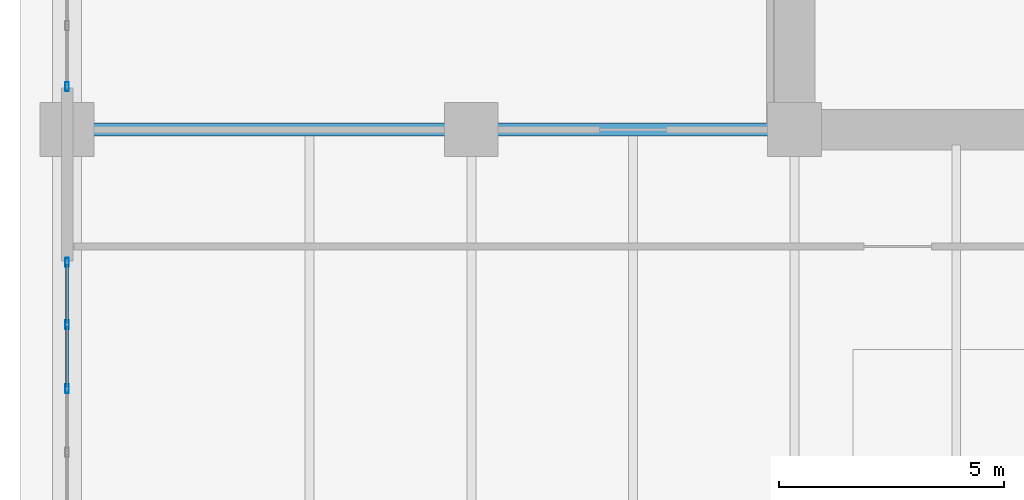
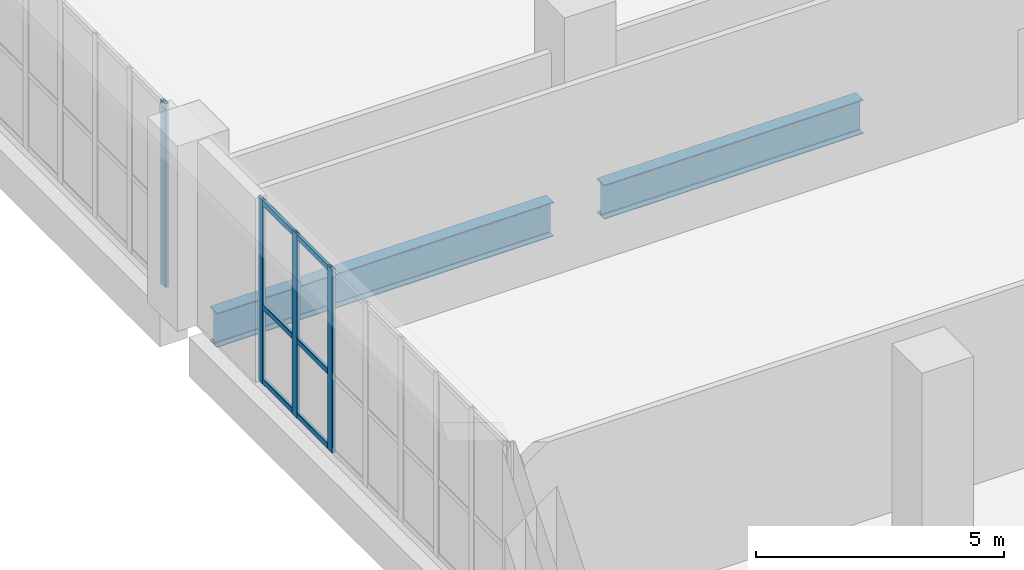
# One storey, part 9 of 37: 10 members, 2 beams, 2 elements without a shape of their own.
"""IFC4 building model written with IfcOpenShell, lengths in metres."""

from ifc_helpers import new_model, si_unit, direction, frame, origin, origin_2d, place, context, subcontext, project, spatial, hollow_rectangle, i_section, extrude, material, layer, layer_set, material_profile, profile_set, type_object, element, aggregate, save


model = new_model("IFC4")

# Units and contexts
model_context = context("Model", 3, precision=1e-05, world=origin(), true_north=direction((0.0, 1.0)))
body_context = subcontext(model_context, "Body", "Model", "MODEL_VIEW")
ifc_project = project(units=[si_unit("LENGTHUNIT", "METRE"), si_unit("AREAUNIT", "SQUARE_METRE"), si_unit("VOLUMEUNIT", "CUBIC_METRE"), si_unit("PLANEANGLEUNIT", "RADIAN"), si_unit("MASSUNIT", "GRAM", prefix="KILO")], contexts=[model_context])

# Site, building, storey
site_placement = place(None, origin())
site = spatial("IfcSite", under=ifc_project, at=site_placement, CompositionType="ELEMENT")
building_placement = place(site_placement, origin())
building = spatial("IfcBuilding", under=site, at=building_placement, Name="Kaelvorn Grand Hotel", CompositionType="ELEMENT")
storey_placement = place(building_placement, frame((0.0, 0.0, 130.550048828125)))
storey = spatial("IfcBuildingStorey", under=building, at=storey_placement, Name="L31", CompositionType="ELEMENT", Elevation=130.550048828125)

# Beams
ifc_material_1 = material(Name="Steel S355", Category="steel")
ifc_material_profile_1 = material_profile(ifc_material_1, i_section(OverallWidth=0.29248046875, OverallDepth=0.8408203125, WebThickness=0.0146484375, FlangeThickness=0.021728515625, FilletRadius=0.017822265625, at=origin_2d()), Name="UB 838x292x194")
ifc_profile_set_1 = profile_set([ifc_material_profile_1], Name="Steel S355")
beam_type = type_object("IfcBeamType", Name="BM-G-UB838-S355", PredefinedType="BEAM", material=ifc_profile_set_1)
beam_1_placement = place(storey_placement, frame((0.5849609375, 29.39990234375, -0.660400390625), z_axis=(1.0, 0.0, 0.0), x_axis=(0.0, 1.0, 0.0)))
element("IfcBeam", 1, at=beam_1_placement, inside=storey, type_object=beam_type, Name="L31 West Core Wing Steel Girder G-29W 01", PredefinedType="BEAM", context=body_context, shape_type="SweptSolid", body=[
    extrude(i_section(OverallWidth=0.29248046875, OverallDepth=0.8408203125, WebThickness=0.0146484375, FlangeThickness=0.021728515625, FilletRadius=0.017822265625, at=origin_2d()), origin(), (0.0, 0.0, 1.0), 7.830078125),
])
beam_2_placement = place(storey_placement, frame((9.5849609375, 29.39990234375, -0.660400390625), z_axis=(1.0, 0.0, 0.0), x_axis=(0.0, 1.0, 0.0)))
element("IfcBeam", 2, at=beam_2_placement, inside=storey, type_object=beam_type, Name="L31 West Core Wing Steel Girder G-29W 02", PredefinedType="BEAM", context=body_context, shape_type="SweptSolid", body=[
    extrude(i_section(OverallWidth=0.29248046875, OverallDepth=0.8408203125, WebThickness=0.0146484375, FlangeThickness=0.021728515625, FilletRadius=0.017822265625, at=origin_2d()), origin(), (0.0, 0.0, 1.0), 6.030029296875),
])

# Curtain wall, member
ifc_material_2 = material(Name="Anodised Aluminium", Category="aluminium")
ifc_layer = layer(ifc_material_2, 0.199951171875)
ifc_layer_set = layer_set([ifc_layer], Name="Anodised Aluminium")
curtain_wall_type = type_object("IfcCurtainWallType", Name="CW-SYS3", PredefinedType="NOTDEFINED", material=ifc_layer_set)
curtain_wall_1_placement = place(storey_placement, origin())
curtain_wall_1 = element("IfcCurtainWall", 3, at=curtain_wall_1_placement, inside=storey, type_object=curtain_wall_type, Name="L31 Unitised Curtain Wall CW3 (CW-L31-W-03)", PredefinedType="NOTDEFINED")
ifc_material_profile_2 = material_profile(ifc_material_2, hollow_rectangle(XDim=0.074951171875, YDim=0.199951171875, WallThickness=0.00390625, InnerFilletRadius=0.00390625, OuterFilletRadius=0.008056640625, at=origin_2d()), Name="ALU MULL 75x200")
ifc_profile_set_2 = profile_set([ifc_material_profile_2], Name="Anodised Aluminium")
member_type_1 = type_object("IfcMemberType", Name="CW-SYS3-MULL", PredefinedType="MULLION", material=ifc_profile_set_2)
member_1_placement = place(storey_placement, frame((0.0, 30.357421875, 0.0), z_axis=(0.0, 0.0, 1.0), x_axis=(1.0, 0.0, 0.0)))
member_1 = element("IfcMember", 4, at=member_1_placement, type_object=member_type_1, Name="CW3 mullion 7", PredefinedType="MULLION", context=body_context, shape_type="SweptSolid", body=[
    extrude(hollow_rectangle(XDim=0.074951171875, YDim=0.199951171875, WallThickness=0.00390625, InnerFilletRadius=0.00390625, OuterFilletRadius=0.008056640625, at=origin_2d()), origin(), (0.0, 0.0, 1.0), 4.52001953125),
])
aggregate(curtain_wall_1, [member_1])

# Curtain wall, members
curtain_wall_2_placement = place(storey_placement, origin())
curtain_wall_2 = element("IfcCurtainWall", 5, at=curtain_wall_2_placement, inside=storey, type_object=curtain_wall_type, Name="L31 Unitised Curtain Wall CW3 (CW-L31-W-02)", PredefinedType="NOTDEFINED")
member_2_placement = place(storey_placement, frame((0.0, 26.4423828125, 0.0), z_axis=(0.0, 0.0, 1.0), x_axis=(1.0, 0.0, 0.0)))
member_2 = element("IfcMember", 6, at=member_2_placement, type_object=member_type_1, Name="CW3 mullion 1", PredefinedType="MULLION", context=body_context, shape_type="SweptSolid", body=[
    extrude(hollow_rectangle(XDim=0.074951171875, YDim=0.199951171875, WallThickness=0.00390625, InnerFilletRadius=0.00390625, OuterFilletRadius=0.008056640625, at=origin_2d()), origin(), (0.0, 0.0, 1.0), 4.52001953125),
])
member_3_placement = place(storey_placement, frame((0.0, 25.05712890625, 0.0), z_axis=(0.0, 0.0, 1.0), x_axis=(1.0, 0.0, 0.0)))
member_3 = element("IfcMember", 7, at=member_3_placement, type_object=member_type_1, Name="CW3 mullion 2", PredefinedType="MULLION", context=body_context, shape_type="SweptSolid", body=[
    extrude(hollow_rectangle(XDim=0.074951171875, YDim=0.199951171875, WallThickness=0.00390625, InnerFilletRadius=0.00390625, OuterFilletRadius=0.008056640625, at=origin_2d()), origin(), (0.0, 0.0, 1.0), 4.52001953125),
])
member_4_placement = place(storey_placement, frame((0.0, 23.63427734375, 0.0), z_axis=(0.0, 0.0, 1.0), x_axis=(1.0, 0.0, 0.0)))
member_4 = element("IfcMember", 8, at=member_4_placement, type_object=member_type_1, Name="CW3 mullion 3", PredefinedType="MULLION", context=body_context, shape_type="SweptSolid", body=[
    extrude(hollow_rectangle(XDim=0.074951171875, YDim=0.199951171875, WallThickness=0.00390625, InnerFilletRadius=0.00390625, OuterFilletRadius=0.008056640625, at=origin_2d()), origin(), (0.0, 0.0, 1.0), 4.52001953125),
])
ifc_material_profile_3 = material_profile(ifc_material_2, hollow_rectangle(XDim=0.070068359375, YDim=0.135009765625, WallThickness=0.00341796875, InnerFilletRadius=0.00341796875, OuterFilletRadius=0.007080078125, at=origin_2d()), Name="ALU TRAN 70x135")
ifc_profile_set_3 = profile_set([ifc_material_profile_3], Name="Anodised Aluminium")
member_type_2 = type_object("IfcMemberType", Name="CW-SYS3-TRAN", PredefinedType="NOTDEFINED", material=ifc_profile_set_3)
member_5_placement = place(storey_placement, frame((0.0, 26.405029296875, 0.0673828125), z_axis=(0.0, -1.0, 0.0), x_axis=(1.0, 0.0, 0.0)))
member_5 = element("IfcMember", 9, at=member_5_placement, type_object=member_type_2, Name="CW3 transom 1.1", ObjectType="TRANSOM", PredefinedType="USERDEFINED", context=body_context, shape_type="SweptSolid", body=[
    extrude(hollow_rectangle(XDim=0.070068359375, YDim=0.135009765625, WallThickness=0.00341796875, InnerFilletRadius=0.00341796875, OuterFilletRadius=0.007080078125, at=origin_2d()), origin(), (0.0, 0.0, 1.0), 1.310302734375),
])
member_6_placement = place(storey_placement, frame((0.0, 26.405029296875, 1.8984375), z_axis=(0.0, -1.0, 0.0), x_axis=(1.0, 0.0, 0.0)))
member_6 = element("IfcMember", 10, at=member_6_placement, type_object=member_type_2, Name="CW3 transom 1.2", ObjectType="TRANSOM", PredefinedType="USERDEFINED", context=body_context, shape_type="SweptSolid", body=[
    extrude(hollow_rectangle(XDim=0.070068359375, YDim=0.135009765625, WallThickness=0.00341796875, InnerFilletRadius=0.00341796875, OuterFilletRadius=0.007080078125, at=origin_2d()), origin(), (0.0, 0.0, 1.0), 1.310302734375),
])
member_7_placement = place(storey_placement, frame((0.0, 26.405029296875, 4.452392578125), z_axis=(0.0, -1.0, 0.0), x_axis=(1.0, 0.0, 0.0)))
member_7 = element("IfcMember", 11, at=member_7_placement, type_object=member_type_2, Name="CW3 transom 1.3", ObjectType="TRANSOM", PredefinedType="USERDEFINED", context=body_context, shape_type="SweptSolid", body=[
    extrude(hollow_rectangle(XDim=0.070068359375, YDim=0.135009765625, WallThickness=0.00341796875, InnerFilletRadius=0.00341796875, OuterFilletRadius=0.007080078125, at=origin_2d()), origin(), (0.0, 0.0, 1.0), 1.310302734375),
])
member_8_placement = place(storey_placement, frame((0.0, 25.01953125, 0.0673828125), z_axis=(0.0, -1.0, 0.0), x_axis=(1.0, 0.0, 0.0)))
member_8 = element("IfcMember", 12, at=member_8_placement, type_object=member_type_2, Name="CW3 transom 2.1", ObjectType="TRANSOM", PredefinedType="USERDEFINED", context=body_context, shape_type="SweptSolid", body=[
    extrude(hollow_rectangle(XDim=0.070068359375, YDim=0.135009765625, WallThickness=0.00341796875, InnerFilletRadius=0.00341796875, OuterFilletRadius=0.007080078125, at=origin_2d()), origin(), (0.0, 0.0, 1.0), 1.34765625),
])
member_9_placement = place(storey_placement, frame((0.0, 25.01953125, 1.8984375), z_axis=(0.0, -1.0, 0.0), x_axis=(1.0, 0.0, 0.0)))
member_9 = element("IfcMember", 13, at=member_9_placement, type_object=member_type_2, Name="CW3 transom 2.2", ObjectType="TRANSOM", PredefinedType="USERDEFINED", context=body_context, shape_type="SweptSolid", body=[
    extrude(hollow_rectangle(XDim=0.070068359375, YDim=0.135009765625, WallThickness=0.00341796875, InnerFilletRadius=0.00341796875, OuterFilletRadius=0.007080078125, at=origin_2d()), origin(), (0.0, 0.0, 1.0), 1.34765625),
])
member_10_placement = place(storey_placement, frame((0.0, 25.01953125, 4.452392578125), z_axis=(0.0, -1.0, 0.0), x_axis=(1.0, 0.0, 0.0)))
member_10 = element("IfcMember", 14, at=member_10_placement, type_object=member_type_2, Name="CW3 transom 2.3", ObjectType="TRANSOM", PredefinedType="USERDEFINED", context=body_context, shape_type="SweptSolid", body=[
    extrude(hollow_rectangle(XDim=0.070068359375, YDim=0.135009765625, WallThickness=0.00341796875, InnerFilletRadius=0.00341796875, OuterFilletRadius=0.007080078125, at=origin_2d()), origin(), (0.0, 0.0, 1.0), 1.34765625),
])
aggregate(curtain_wall_2, [member_2, member_3, member_4, member_5, member_6, member_7, member_8, member_9, member_10])

save(model, "model.ifc")
